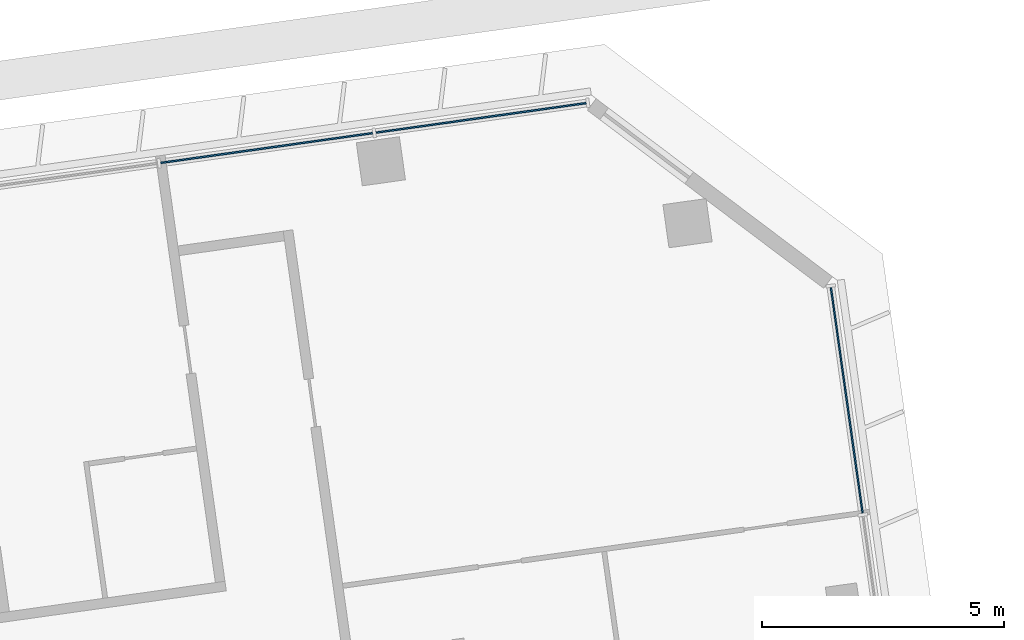
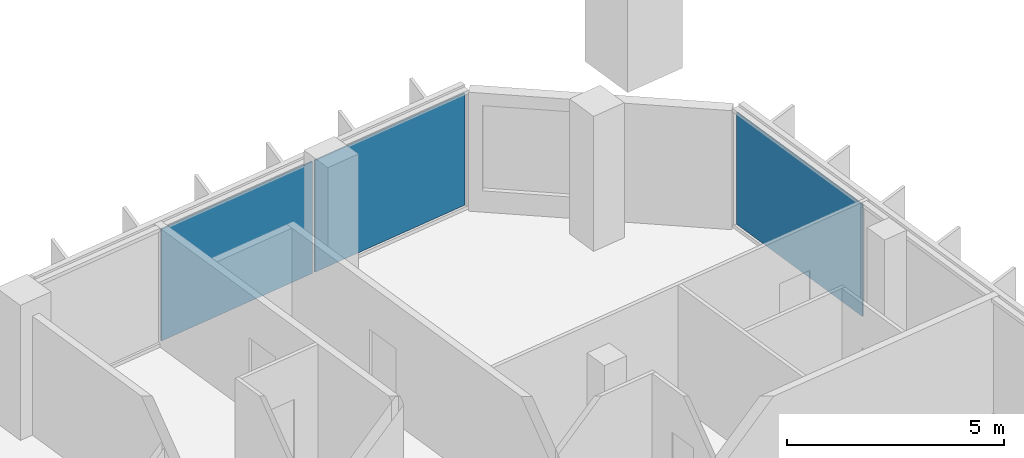
# One storey, part 29 of 41: 3 plates, 2 elements without a shape of their own.
"""IFC4 building model written with IfcOpenShell, lengths in metres."""

from ifc_helpers import new_model, si_unit, direction, frame, origin, origin_2d, place, context, subcontext, project, spatial, rectangle, extrude, material, layer, layer_set, type_object, element, aggregate, save


model = new_model("IFC4")

# Units and contexts
model_context = context("Model", 3, precision=1e-05, world=origin(), true_north=direction((0.0, 1.0)))
body_context = subcontext(model_context, "Body", "Model", "MODEL_VIEW")
ifc_project = project(units=[si_unit("LENGTHUNIT", "METRE"), si_unit("AREAUNIT", "SQUARE_METRE"), si_unit("VOLUMEUNIT", "CUBIC_METRE"), si_unit("PLANEANGLEUNIT", "RADIAN"), si_unit("MASSUNIT", "GRAM", prefix="KILO")], contexts=[model_context])

# Site, building, storey
site_placement = place(None, origin())
site = spatial("IfcSite", under=ifc_project, at=site_placement, CompositionType="ELEMENT")
building_placement = place(site_placement, origin())
building = spatial("IfcBuilding", under=site, at=building_placement, Name="Mirante Cascada Hotel Towers", CompositionType="ELEMENT")
storey_placement = place(building_placement, frame((0.0, 0.0, 125.3)))
storey = spatial("IfcBuildingStorey", under=building, at=storey_placement, Name="L28", CompositionType="ELEMENT", Elevation=125.3)

# Curtain wall, plates
ifc_material_1 = material(Name="Aluminium mullion and transom frame with clear laminated glass", Category="aluminium")
curtain_wall_type_1 = type_object("IfcCurtainWallType", Name="Ribbon curtain wall ECW1", PredefinedType="NOTDEFINED", material=ifc_material_1)
curtain_wall_1_placement = place(storey_placement, origin())
curtain_wall_1 = element("IfcCurtainWall", 1, at=curtain_wall_1_placement, inside=storey, type_object=curtain_wall_type_1, Name="Front ribbon wall T2 L28", PredefinedType="NOTDEFINED")
ifc_material_2 = material(Name="Clear laminated glass", Category="glass")
ifc_layer_1 = layer(ifc_material_2, 0.036)
ifc_layer_set_1 = layer_set([ifc_layer_1], Name="ECW1 glass panel 36")
plate_type_1 = type_object("IfcPlateType", Name="ECW1 glass panel 36", PredefinedType="CURTAIN_PANEL", material=ifc_layer_set_1)
plate_1_placement = place(storey_placement, frame((91.9184, 25.7373, 0.1), z_axis=(0.0, 0.0, 1.0), x_axis=(-0.9902681, -0.1391731, 0.0)))
plate_1 = element("IfcPlate", 2, at=plate_1_placement, type_object=plate_type_1, Name="ECW1 panel 1", PredefinedType="CURTAIN_PANEL", context=body_context, shape_type="SweptSolid", body=[
    extrude(rectangle(XDim=4.3936, YDim=0.036, at=origin_2d()), origin(), (0.0, 0.0, 1.0), 3.15),
])
plate_2_placement = place(storey_placement, frame((87.487, 25.1145, 0.1), z_axis=(0.0, 0.0, 1.0), x_axis=(-0.9902681, -0.1391731, 0.0)))
plate_2 = element("IfcPlate", 3, at=plate_2_placement, type_object=plate_type_1, Name="ECW1 panel 2", PredefinedType="CURTAIN_PANEL", context=body_context, shape_type="SweptSolid", body=[
    extrude(rectangle(XDim=4.4261, YDim=0.036, at=origin_2d()), origin(), (0.0, 0.0, 1.0), 3.15),
])
aggregate(curtain_wall_1, [plate_1, plate_2])

# Curtain wall, plate
ifc_material_3 = material(Name="Aluminium mullion and transom frame with clear laminated glass", Category="aluminium")
curtain_wall_type_2 = type_object("IfcCurtainWallType", Name="End ribbon curtain wall ECW2", PredefinedType="NOTDEFINED", material=ifc_material_3)
curtain_wall_2_placement = place(storey_placement, origin())
curtain_wall_2 = element("IfcCurtainWall", 4, at=curtain_wall_2_placement, inside=storey, type_object=curtain_wall_type_2, Name="Outer end wall T2 L28", PredefinedType="NOTDEFINED")
ifc_material_4 = material(Name="Clear laminated glass", Category="glass")
ifc_layer_2 = layer(ifc_material_4, 0.034)
ifc_layer_set_2 = layer_set([ifc_layer_2], Name="ECW2 glass panel 34")
plate_type_2 = type_object("IfcPlateType", Name="ECW2 glass panel 34", PredefinedType="CURTAIN_PANEL", material=ifc_layer_set_2)
plate_3_placement = place(storey_placement, frame((99.4786, 19.898, 0.1), z_axis=(0.0, 0.0, 1.0), x_axis=(-0.1391731, 0.9902681, 0.0)))
plate_3 = element("IfcPlate", 5, at=plate_3_placement, type_object=plate_type_2, Name="ECW2 panel 6", PredefinedType="CURTAIN_PANEL", context=body_context, shape_type="SweptSolid", body=[
    extrude(rectangle(XDim=4.7151, YDim=0.034, at=origin_2d()), origin(), (0.0, 0.0, 1.0), 3.15),
])
aggregate(curtain_wall_2, [plate_3])

save(model, "model.ifc")
